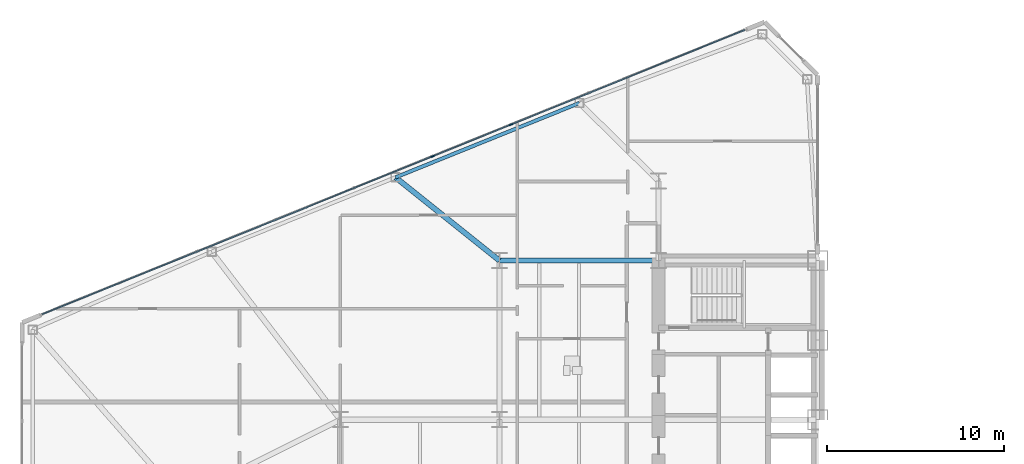
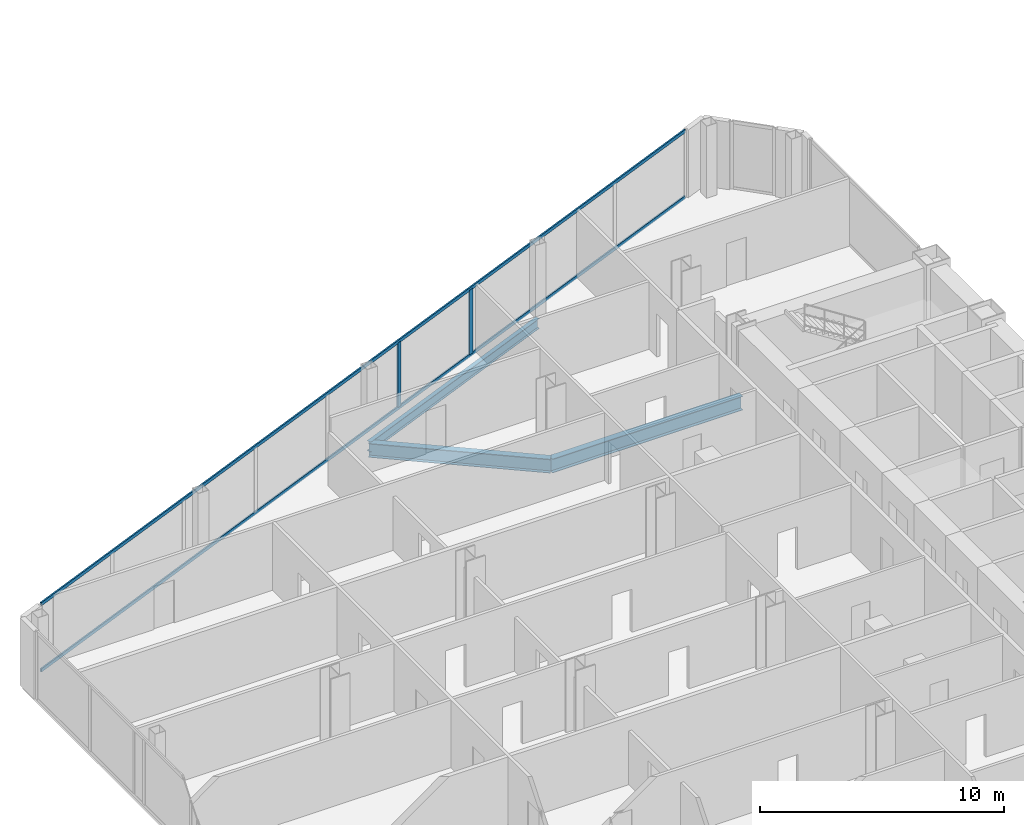
# One storey, part 7 of 25: 4 members, 3 beams, 1 element without a shape of its own.
"""IFC4 building model written with IfcOpenShell, lengths in metres."""

from ifc_helpers import new_model, si_unit, direction, frame, origin, origin_2d, place, context, subcontext, project, spatial, rectangle, i_section, extrude, source, transform, mapped, material, layer, layer_set, material_profile, profile_set, type_object, type_shapes, element, aggregate, save


model = new_model("IFC4")

# Units and contexts
model_context = context("Model", 3, precision=1e-05, world=origin(), true_north=direction((0.0, 1.0)))
body_context = subcontext(model_context, "Body", "Model", "MODEL_VIEW")
ifc_project = project(units=[si_unit("LENGTHUNIT", "METRE"), si_unit("AREAUNIT", "SQUARE_METRE"), si_unit("VOLUMEUNIT", "CUBIC_METRE"), si_unit("PLANEANGLEUNIT", "RADIAN"), si_unit("MASSUNIT", "GRAM", prefix="KILO")], contexts=[model_context])

# Site, building, storey
site_placement = place(None, origin())
site = spatial("IfcSite", under=ifc_project, at=site_placement, CompositionType="ELEMENT")
building_placement = place(site_placement, origin())
building = spatial("IfcBuilding", under=site, at=building_placement, Name="Seokmaru Belvedere", CompositionType="ELEMENT")
storey_placement = place(building_placement, frame((0.0, 0.0, 51.300048828125)))
storey = spatial("IfcBuildingStorey", under=building, at=storey_placement, Name="L13", CompositionType="ELEMENT", Elevation=51.300048828125)

# Beams
ifc_material_1 = material(Name="Steel SM355 (355 MPa)", Category="steel")
ifc_material_profile_1 = material_profile(ifc_material_1, i_section(OverallWidth=0.300048828125, OverallDepth=0.699951171875, WebThickness=0.012939453125, FlangeThickness=0.02392578125, at=origin_2d()), Name="H-700x300x13x24")
ifc_profile_set_1 = profile_set([ifc_material_profile_1], Name="Steel SM355 (355 MPa)")
beam_type_1 = type_object("IfcBeamType", Name="Primary Floor Girder H-700", PredefinedType="BEAM", material=ifc_profile_set_1)
shared_shape_1 = source(origin(), body_context, "Body", "SweptSolid", [
    extrude(i_section(OverallWidth=0.300048828125, OverallDepth=0.699951171875, WebThickness=0.012939453125, FlangeThickness=0.02392578125, at=origin_2d()), origin(), (0.0, 0.0, 1.0), 9.0),
])
beam_1_placement = place(storey_placement, frame((-45.5, 13.5, -0.570068359375), z_axis=(1.0, 0.0, 0.0), x_axis=(0.0, 1.0, 0.0)))
element("IfcBeam", 1, at=beam_1_placement, inside=storey, type_object=beam_type_1, Name="L13 W Wing Primary Girder 4", PredefinedType="BEAM", context=body_context, shape_type="MappedRepresentation", body=[
    mapped(shared_shape_1, transform((0.0, 0.0, 0.0), scale=1.0)),
])
ifc_material_profile_2 = material_profile(ifc_material_1, i_section(OverallWidth=0.199951171875, OverallDepth=0.5, WebThickness=0.010009765625, FlangeThickness=0.01611328125, at=origin_2d()), Name="H-500x200x10x16")
ifc_profile_set_2 = profile_set([ifc_material_profile_2], Name="Steel SM355 (355 MPa)")
beam_type_2 = type_object("IfcBeamType", Name="Perimeter Spandrel Beam H-500", PredefinedType="SPANDREL", material=ifc_profile_set_2)
shared_shape_2 = source(origin(), body_context, "Body", "SweptSolid", [
    extrude(i_section(OverallWidth=0.199951171875, OverallDepth=0.5, WebThickness=0.010009765625, FlangeThickness=0.01611328125, at=origin_2d()), origin(), (0.0, 0.0, 1.0), 11.220703125),
])
type_shapes(beam_type_2, [shared_shape_2])
beam_2_placement = place(storey_placement, frame((-40.977294921875, 22.4140625, -0.469970703125), z_axis=(-0.926944290816, -0.375198989503, 0.0), x_axis=(0.375198989503, -0.926944290816, 0.0)))
element("IfcBeam", 2, at=beam_2_placement, inside=storey, type_object=beam_type_2, Name="L13 W Faceted Flank Spandrel N-2", PredefinedType="SPANDREL", context=body_context, shape_type="MappedRepresentation", body=[
    mapped(shared_shape_2, transform((0.0, 0.0, 0.0), scale=1.0)),
])
shared_shape_3 = source(origin(), body_context, "Body", "SweptSolid", [
    extrude(i_section(OverallWidth=0.300048828125, OverallDepth=0.699951171875, WebThickness=0.012939453125, FlangeThickness=0.02392578125, at=origin_2d()), origin(), (0.0, 0.0, 1.0), 7.52880859375),
])
type_shapes(beam_type_1, [shared_shape_1, shared_shape_3])
beam_3_placement = place(storey_placement, frame((-51.378173828125, 18.2041015625, -0.570068359375), z_axis=(0.780767560736, -0.624821587418, 0.0), x_axis=(0.624821587418, 0.780767560736, 0.0)))
element("IfcBeam", 3, at=beam_3_placement, inside=storey, type_object=beam_type_1, Name="L13 W Flank Radial Floor Girder N-2", PredefinedType="BEAM", context=body_context, shape_type="MappedRepresentation", body=[
    mapped(shared_shape_3, transform((0.0, 0.0, 0.0), scale=1.0)),
])

# Curtain wall, members
ifc_material_2 = material(Name="Bronze Triple Insulating Glass", Category="glass")
ifc_layer = layer(ifc_material_2, 0.2099609375)
ifc_layer_set = layer_set([ifc_layer], Name="Bronze Triple Insulating Glass")
curtain_wall_type = type_object("IfcCurtainWallType", Name="Low-Rise Faceted Crystal Curtain Wall System CW-2", PredefinedType="NOTDEFINED", material=ifc_layer_set)
curtain_wall_placement = place(storey_placement, origin())
curtain_wall = element("IfcCurtainWall", 4, at=curtain_wall_placement, inside=storey, type_object=curtain_wall_type, Name="L13 Curtain Wall WF3", PredefinedType="NOTDEFINED")
ifc_material_3 = material(Name="Anodised Bronze Aluminium", Category="aluminium")
ifc_material_profile_3 = material_profile(ifc_material_3, rectangle(XDim=0.074951171875, YDim=0.2099609375, at=origin_2d()), Name="CW-M-75x210")
ifc_profile_set_3 = profile_set([ifc_material_profile_3], Name="Anodised Bronze Aluminium")
member_type_1 = type_object("IfcMemberType", Name="Bronze Unitised Mullion 75x210", PredefinedType="MULLION", material=ifc_profile_set_3)
shared_shape_4 = source(origin(), body_context, "Body", "SweptSolid", [
    extrude(rectangle(XDim=0.074951171875, YDim=0.2099609375, at=origin_2d()), origin(), (0.0, 0.0, 1.0), 3.239990234375),
])
type_shapes(member_type_1, [shared_shape_4])
member_1_placement = place(storey_placement, frame((-44.855224609375, 21.189453125, 0.070068359375), z_axis=(0.0, 0.0, 1.0), x_axis=(0.375192321888, -0.926946989637, 0.0)))
member_1 = element("IfcMember", 5, at=member_1_placement, type_object=member_type_1, Name="CW:L13:WF3 Mullion 4", PredefinedType="MULLION", context=body_context, shape_type="MappedRepresentation", body=[
    mapped(shared_shape_4, transform((0.0, 0.0, 0.0), scale=1.0)),
])
member_2_placement = place(storey_placement, frame((-49.28515625, 19.396484375, 0.070068359375), z_axis=(0.0, 0.0, 1.0), x_axis=(0.375192321888, -0.926946989637, 0.0)))
member_2 = element("IfcMember", 6, at=member_2_placement, type_object=member_type_1, Name="CW:L13:WF3 Mullion 5", PredefinedType="MULLION", context=body_context, shape_type="MappedRepresentation", body=[
    mapped(shared_shape_4, transform((0.0, 0.0, 0.0), scale=1.0)),
])
ifc_material_profile_4 = material_profile(ifc_material_3, rectangle(XDim=0.070068359375, YDim=0.1650390625, at=origin_2d()), Name="CW-T-70x165")
ifc_profile_set_4 = profile_set([ifc_material_profile_4], Name="Anodised Bronze Aluminium")
member_type_2 = type_object("IfcMemberType", Name="Bronze Unitised Transom 70x165", PredefinedType="USERDEFINED", material=ifc_profile_set_4)
shared_shape_5 = source(origin(), body_context, "Body", "SweptSolid", [
    extrude(rectangle(XDim=0.070068359375, YDim=0.1650390625, at=origin_2d()), origin(), (0.0, 0.0, 1.0), 42.860107421875),
])
type_shapes(member_type_2, [shared_shape_5])
member_3_placement = place(storey_placement, frame((-31.635498046875, 26.540283203125, 0.034912109375), z_axis=(-0.926948605599, -0.375188329481, 0.0), x_axis=(0.375188329481, -0.926948605599, 0.0)))
member_3 = element("IfcMember", 7, at=member_3_placement, type_object=member_type_2, Name="CW:L13:WF3 Continuous Transom 1", ObjectType="TRANSOM", PredefinedType="USERDEFINED", context=body_context, shape_type="MappedRepresentation", body=[
    mapped(shared_shape_5, transform((0.0, 0.0, 0.0), scale=1.0)),
])
member_4_placement = place(storey_placement, frame((-31.635498046875, 26.540283203125, 3.344970703125), z_axis=(-0.926948605599, -0.375188329481, 0.0), x_axis=(0.375188329481, -0.926948605599, 0.0)))
member_4 = element("IfcMember", 8, at=member_4_placement, type_object=member_type_2, Name="CW:L13:WF3 Continuous Transom 2", ObjectType="TRANSOM", PredefinedType="USERDEFINED", context=body_context, shape_type="MappedRepresentation", body=[
    mapped(shared_shape_5, transform((0.0, 0.0, 0.0), scale=1.0)),
])
aggregate(curtain_wall, [member_1, member_2, member_3, member_4])

save(model, "model.ifc")
